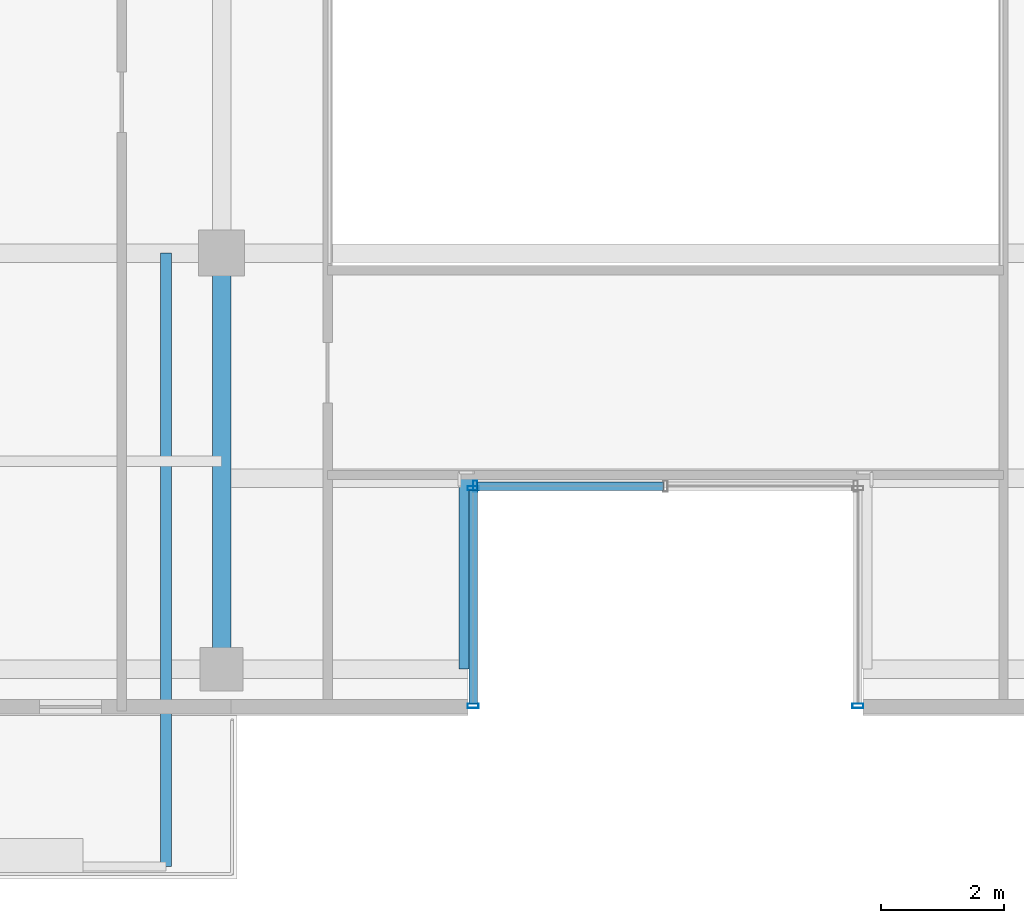
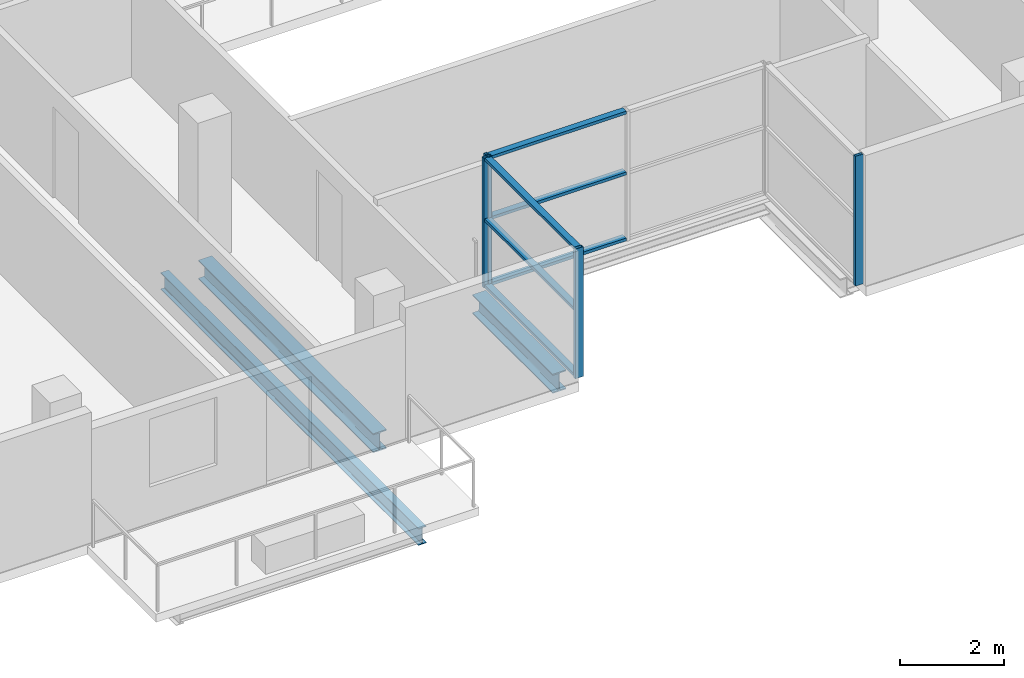
# One storey, part 3 of 22: 10 members, 3 beams, 3 elements without a shape of their own.
"""IFC4 building model written with IfcOpenShell, lengths in metres."""

from ifc_helpers import new_model, si_unit, direction, frame, origin, origin_2d, place, context, subcontext, project, spatial, hollow_rectangle, i_section, extrude, source, transform, mapped, material, layer, layer_set, material_profile, profile_set, type_object, element, aggregate, save


model = new_model("IFC4")

# Units and contexts
model_context = context("Model", 3, precision=1e-05, world=origin(), true_north=direction((0.0, 1.0)))
body_context = subcontext(model_context, "Body", "Model", "MODEL_VIEW")
ifc_project = project(units=[si_unit("LENGTHUNIT", "METRE"), si_unit("AREAUNIT", "SQUARE_METRE"), si_unit("VOLUMEUNIT", "CUBIC_METRE"), si_unit("PLANEANGLEUNIT", "RADIAN"), si_unit("MASSUNIT", "GRAM", prefix="KILO")], contexts=[model_context])

# Site, building, storey
site_placement = place(None, origin())
site = spatial("IfcSite", under=ifc_project, at=site_placement, CompositionType="ELEMENT")
building_placement = place(site_placement, origin())
building = spatial("IfcBuilding", under=site, at=building_placement, Name="Zarnakvel Exchange Tower", CompositionType="ELEMENT")
storey_placement = place(building_placement, frame((0.0, 0.0, 222.10009765625)))
storey = spatial("IfcBuildingStorey", under=building, at=storey_placement, Name="L62", CompositionType="ELEMENT", Elevation=222.10009765625)

# Beams
ifc_material_1 = material(Name="Steel S355", Category="steel")
ifc_material_profile_1 = material_profile(ifc_material_1, i_section(OverallWidth=0.179931640625, OverallDepth=0.39990234375, WebThickness=0.008544921875, FlangeThickness=0.013427734375, FilletRadius=0.02099609375, at=origin_2d()))
ifc_profile_set_1 = profile_set([ifc_material_profile_1], Name="Steel S355")
beam_type_1 = type_object("IfcBeamType", Name="B-06", PredefinedType="JOIST", material=ifc_profile_set_1)
beam_1_placement = place(storey_placement, frame((-8.10009765625, -9.60009765625, -0.425048828125), z_axis=(0.0, -1.0, 0.0), x_axis=(1.0, 0.0, 0.0)))
element("IfcBeam", 1, at=beam_1_placement, inside=storey, type_object=beam_type_1, Name="L62 Continuous Back-Spanned Balcony Beam E", PredefinedType="JOIST", context=body_context, shape_type="SweptSolid", body=[
    extrude(i_section(OverallWidth=0.179931640625, OverallDepth=0.39990234375, WebThickness=0.008544921875, FlangeThickness=0.013427734375, FilletRadius=0.02099609375, at=origin_2d()), origin(), (0.0, 0.0, 1.0), 9.949951171875),
])
ifc_material_profile_2 = material_profile(ifc_material_1, i_section(OverallWidth=0.300048828125, OverallDepth=0.449951171875, WebThickness=0.013916015625, FlangeThickness=0.02587890625, FilletRadius=0.027099609375, at=origin_2d()))
ifc_profile_set_2 = profile_set([ifc_material_profile_2], Name="Steel S355")
beam_type_2 = type_object("IfcBeamType", Name="G-07", PredefinedType="BEAM", material=ifc_profile_set_2)
beam_2_placement = place(storey_placement, frame((-3.199951171875, -16.35009765625, -0.4501953125), z_axis=(0.0, 1.0, 0.0), x_axis=(-1.0, 0.0, 0.0)))
element("IfcBeam", 2, at=beam_2_placement, inside=storey, type_object=beam_type_2, Name="L62 South Slot West Cheek Beam", PredefinedType="BEAM", context=body_context, shape_type="SweptSolid", body=[
    extrude(i_section(OverallWidth=0.300048828125, OverallDepth=0.449951171875, WebThickness=0.013916015625, FlangeThickness=0.02587890625, FilletRadius=0.027099609375, at=origin_2d()), origin(), (0.0, 0.0, 1.0), 3.10009765625),
])
beam_3_placement = place(storey_placement, frame((-7.199951171875, -16.35009765625, -0.4501953125), z_axis=(0.0, 1.0, 0.0), x_axis=(-1.0, 0.0, 0.0)))
element("IfcBeam", 3, at=beam_3_placement, inside=storey, type_object=beam_type_2, Name="L62 Tower N-S Frame Beam", PredefinedType="BEAM", context=body_context, shape_type="SweptSolid", body=[
    extrude(i_section(OverallWidth=0.300048828125, OverallDepth=0.449951171875, WebThickness=0.013916015625, FlangeThickness=0.02587890625, FilletRadius=0.027099609375, at=origin_2d()), origin(), (0.0, 0.0, 1.0), 6.75),
])

# Curtain wall, members
ifc_material_2 = material(Name="Architectural Bronze Anodised Aluminium", Category="aluminium")
ifc_layer = layer(ifc_material_2, 0.179931640625)
ifc_layer_set = layer_set([ifc_layer], Name="Architectural Bronze Anodised Aluminium")
curtain_wall_type = type_object("IfcCurtainWallType", Name="CW-05", PredefinedType="NOTDEFINED", material=ifc_layer_set)
curtain_wall_1_placement = place(storey_placement, origin())
curtain_wall_1 = element("IfcCurtainWall", 4, at=curtain_wall_1_placement, inside=storey, type_object=curtain_wall_type, Name="L62 Curtain Wall CW-L62-SLW (CW-05)", PredefinedType="NOTDEFINED")
ifc_material_profile_3 = material_profile(ifc_material_2, hollow_rectangle(XDim=0.139892578125, YDim=0.070068359375, WallThickness=0.00390625, at=origin_2d()))
ifc_profile_set_3 = profile_set([ifc_material_profile_3], Name="Architectural Bronze Anodised Aluminium")
member_type_1 = type_object("IfcMemberType", Name="CWT-05", PredefinedType="USERDEFINED", material=ifc_profile_set_3)
shared_shape_1 = source(origin(), body_context, "Body", "SweptSolid", [
    extrude(hollow_rectangle(XDim=0.139892578125, YDim=0.070068359375, WallThickness=0.00390625, at=origin_2d()), origin(), (0.0, 0.0, 1.0), 3.4599609375),
])
member_1_placement = place(storey_placement, frame((-3.1201171875, -16.909912109375, 0.034912109375), z_axis=(0.0, 1.0, 0.0), x_axis=(-1.0, 0.0, 0.0)))
member_1 = element("IfcMember", 5, at=member_1_placement, type_object=member_type_1, Name="CW-05 transom 1.1", ObjectType="TRANSOM", PredefinedType="USERDEFINED", context=body_context, shape_type="MappedRepresentation", body=[
    mapped(shared_shape_1, transform((0.0, 0.0, 0.0), x_axis=(1.0, 0.0, 0.0), y_axis=(0.0, 1.0, 0.0), z_axis=(0.0, 0.0, 1.0), scale=1.0)),
])
member_2_placement = place(storey_placement, frame((-3.1201171875, -16.909912109375, 1.588623046875), z_axis=(0.0, 1.0, 0.0), x_axis=(-1.0, 0.0, 0.0)))
member_2 = element("IfcMember", 6, at=member_2_placement, type_object=member_type_1, Name="CW-05 transom 1.2", ObjectType="TRANSOM", PredefinedType="USERDEFINED", context=body_context, shape_type="MappedRepresentation", body=[
    mapped(shared_shape_1, transform((0.0, 0.0, 0.0), x_axis=(1.0, 0.0, 0.0), y_axis=(0.0, 1.0, 0.0), z_axis=(0.0, 0.0, 1.0), scale=1.0)),
])
member_3_placement = place(storey_placement, frame((-3.1201171875, -16.909912109375, 3.02001953125), z_axis=(0.0, 1.0, 0.0), x_axis=(-1.0, 0.0, 0.0)))
member_3 = element("IfcMember", 7, at=member_3_placement, type_object=member_type_1, Name="CW-05 transom 1.3", ObjectType="TRANSOM", PredefinedType="USERDEFINED", context=body_context, shape_type="MappedRepresentation", body=[
    mapped(shared_shape_1, transform((0.0, 0.0, 0.0), x_axis=(1.0, 0.0, 0.0), y_axis=(0.0, 1.0, 0.0), z_axis=(0.0, 0.0, 1.0), scale=1.0)),
])

curtain_wall_2_placement = place(storey_placement, origin())
curtain_wall_2 = element("IfcCurtainWall", 8, at=curtain_wall_2_placement, inside=storey, type_object=curtain_wall_type, Name="L62 Curtain Wall CW-L62-SLB (CW-05)", PredefinedType="NOTDEFINED")
shared_shape_2 = source(origin(), body_context, "Body", "SweptSolid", [
    extrude(hollow_rectangle(XDim=0.139892578125, YDim=0.070068359375, WallThickness=0.00390625, at=origin_2d()), origin(), (0.0, 0.0, 1.0), 3.01513671875),
])
member_4_placement = place(storey_placement, frame((-3.050048828125, -13.3798828125, 0.034912109375), z_axis=(1.0, 0.0, 0.0), x_axis=(0.0, 1.0, 0.0)))
member_4 = element("IfcMember", 9, at=member_4_placement, type_object=member_type_1, Name="CW-05 transom 1.1", ObjectType="TRANSOM", PredefinedType="USERDEFINED", context=body_context, shape_type="MappedRepresentation", body=[
    mapped(shared_shape_2, transform((0.0, 0.0, 0.0), x_axis=(1.0, 0.0, 0.0), y_axis=(0.0, 1.0, 0.0), z_axis=(0.0, 0.0, 1.0), scale=1.0)),
])
member_5_placement = place(storey_placement, frame((-3.050048828125, -13.3798828125, 1.588623046875), z_axis=(1.0, 0.0, 0.0), x_axis=(0.0, 1.0, 0.0)))
member_5 = element("IfcMember", 10, at=member_5_placement, type_object=member_type_1, Name="CW-05 transom 1.2", ObjectType="TRANSOM", PredefinedType="USERDEFINED", context=body_context, shape_type="MappedRepresentation", body=[
    mapped(shared_shape_2, transform((0.0, 0.0, 0.0), x_axis=(1.0, 0.0, 0.0), y_axis=(0.0, 1.0, 0.0), z_axis=(0.0, 0.0, 1.0), scale=1.0)),
])
member_6_placement = place(storey_placement, frame((-3.050048828125, -13.3798828125, 3.02001953125), z_axis=(1.0, 0.0, 0.0), x_axis=(0.0, 1.0, 0.0)))
member_6 = element("IfcMember", 11, at=member_6_placement, type_object=member_type_1, Name="CW-05 transom 1.3", ObjectType="TRANSOM", PredefinedType="USERDEFINED", context=body_context, shape_type="MappedRepresentation", body=[
    mapped(shared_shape_2, transform((0.0, 0.0, 0.0), x_axis=(1.0, 0.0, 0.0), y_axis=(0.0, 1.0, 0.0), z_axis=(0.0, 0.0, 1.0), scale=1.0)),
])

# Member
ifc_material_profile_4 = material_profile(ifc_material_2, hollow_rectangle(XDim=0.179931640625, YDim=0.070068359375, WallThickness=0.00390625, at=origin_2d()))
ifc_profile_set_4 = profile_set([ifc_material_profile_4], Name="Architectural Bronze Anodised Aluminium")
member_type_2 = type_object("IfcMemberType", Name="CWM-05", PredefinedType="MULLION", material=ifc_profile_set_4)
shared_shape_3 = source(origin(), body_context, "Body", "SweptSolid", [
    extrude(hollow_rectangle(XDim=0.179931640625, YDim=0.070068359375, WallThickness=0.00390625, at=origin_2d()), origin(), (0.0, 0.0, 1.0), 3.054931640625),
])
member_7_placement = place(storey_placement, frame((-3.1201171875, -16.945068359375, 0.0), z_axis=(0.0, 0.0, 1.0), x_axis=(-1.0, 0.0, 0.0)))
member_7 = element("IfcMember", 12, at=member_7_placement, type_object=member_type_2, Name="CW-05 mullion 1", PredefinedType="MULLION", context=body_context, shape_type="MappedRepresentation", body=[
    mapped(shared_shape_3, transform((0.0, 0.0, 0.0), x_axis=(1.0, 0.0, 0.0), y_axis=(0.0, 1.0, 0.0), z_axis=(0.0, 0.0, 1.0), scale=1.0)),
])

member_8_placement = place(storey_placement, frame((-3.1201171875, -13.4150390625, 0.0), z_axis=(0.0, 0.0, 1.0), x_axis=(-1.0, 0.0, 0.0)))
member_8 = element("IfcMember", 13, at=member_8_placement, type_object=member_type_2, Name="CW-05 mullion 2", PredefinedType="MULLION", context=body_context, shape_type="MappedRepresentation", body=[
    mapped(shared_shape_3, transform((0.0, 0.0, 0.0), x_axis=(1.0, 0.0, 0.0), y_axis=(0.0, 1.0, 0.0), z_axis=(0.0, 0.0, 1.0), scale=1.0)),
])

aggregate(curtain_wall_1, [member_7, member_8, member_1, member_2, member_3])

member_9_placement = place(storey_placement, frame((-3.0849609375, -13.3798828125, 0.0), z_axis=(0.0, 0.0, 1.0), x_axis=(0.0, 1.0, 0.0)))
member_9 = element("IfcMember", 14, at=member_9_placement, type_object=member_type_2, Name="CW-05 mullion 1", PredefinedType="MULLION", context=body_context, shape_type="MappedRepresentation", body=[
    mapped(shared_shape_3, transform((0.0, 0.0, 0.0), x_axis=(1.0, 0.0, 0.0), y_axis=(0.0, 1.0, 0.0), z_axis=(0.0, 0.0, 1.0), scale=1.0)),
])

aggregate(curtain_wall_2, [member_9, member_4, member_5, member_6])

# Curtain wall, member
curtain_wall_3_placement = place(storey_placement, origin())
curtain_wall_3 = element("IfcCurtainWall", 15, at=curtain_wall_3_placement, inside=storey, type_object=curtain_wall_type, Name="L62 Curtain Wall CW-L62-SLE (CW-05)", PredefinedType="NOTDEFINED")
member_10_placement = place(storey_placement, frame((3.1201171875, -16.945068359375, 0.0), z_axis=(0.0, 0.0, 1.0), x_axis=(1.0, 0.0, 0.0)))
member_10 = element("IfcMember", 16, at=member_10_placement, type_object=member_type_2, Name="CW-05 mullion 2", PredefinedType="MULLION", context=body_context, shape_type="MappedRepresentation", body=[
    mapped(shared_shape_3, transform((0.0, 0.0, 0.0), x_axis=(1.0, 0.0, 0.0), y_axis=(0.0, 1.0, 0.0), z_axis=(0.0, 0.0, 1.0), scale=1.0)),
])
aggregate(curtain_wall_3, [member_10])

save(model, "model.ifc")
